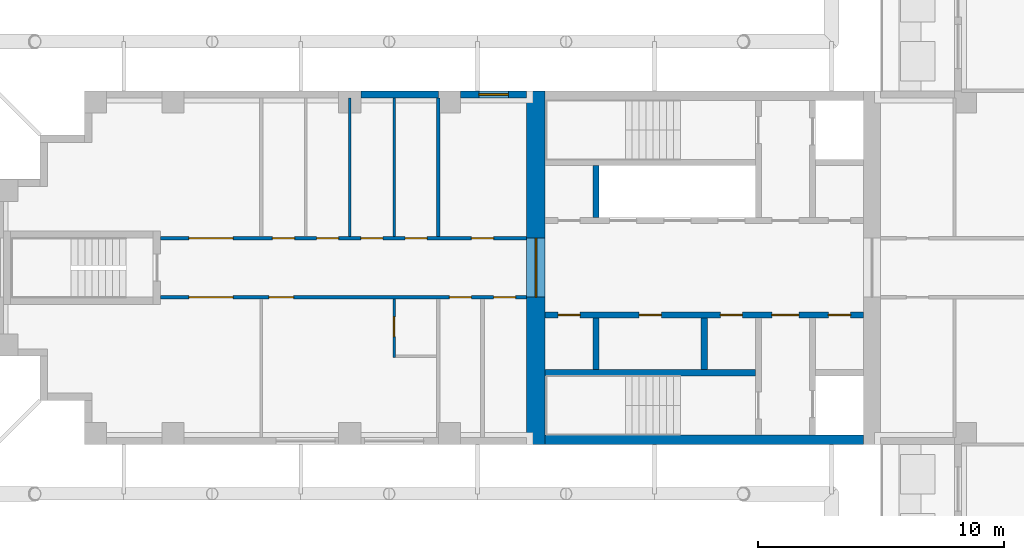
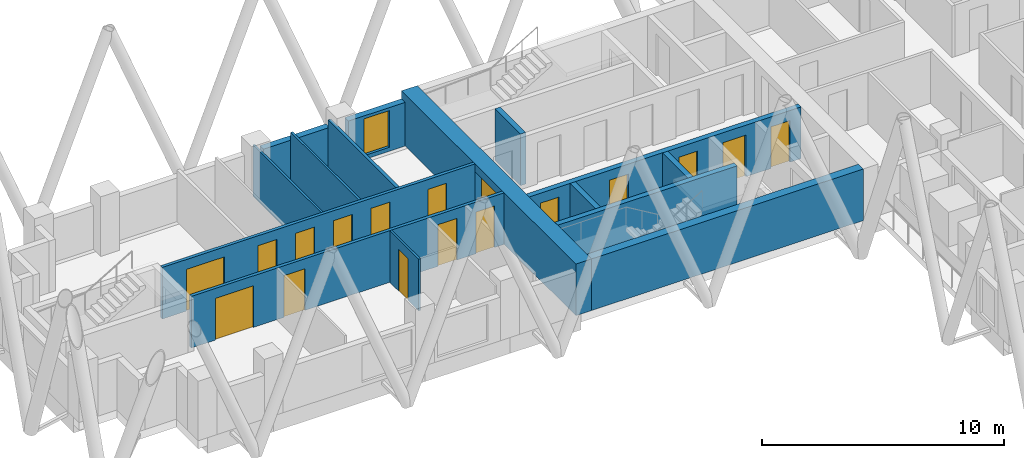
# One storey, part 3 of 12: 17 doors, 15 walls, 1 window, 18 openings.
"""IFC4 building model written with IfcOpenShell, lengths in metres."""

from ifc_helpers import new_model, si_unit, direction, frame, frame_2d, origin, place, context, subcontext, project, spatial, rectangle, extrude, material, layer, layer_set, type_object, element, fill, save


model = new_model("IFC4")

# Units and contexts
model_context = context("Model", 3, precision=1e-05, world=origin(), true_north=direction((0.0, 1.0)))
body_context = subcontext(model_context, "Body", "Model", "MODEL_VIEW")
ifc_project = project(units=[si_unit("LENGTHUNIT", "METRE"), si_unit("AREAUNIT", "SQUARE_METRE"), si_unit("VOLUMEUNIT", "CUBIC_METRE"), si_unit("PLANEANGLEUNIT", "RADIAN"), si_unit("MASSUNIT", "GRAM", prefix="KILO")], contexts=[model_context])

# Site, building, storey
site_placement = place(None, origin())
site = spatial("IfcSite", under=ifc_project, at=site_placement, CompositionType="ELEMENT")
building_placement = place(site_placement, origin())
building = spatial("IfcBuilding", under=site, at=building_placement, Name="Fustian Cross Tower", CompositionType="ELEMENT")
storey_placement = place(building_placement, frame((0.0, 0.0, 179.699951171875)))
storey = spatial("IfcBuildingStorey", under=building, at=storey_placement, Name="L56", CompositionType="ELEMENT", Elevation=179.699951171875)

# Wall, openings, doors
ifc_material_1 = material(Name="Plasterboard on steel stud", Category="steel")
ifc_layer_1 = layer(ifc_material_1, 0.14990234375)
ifc_layer_set_1 = layer_set([ifc_layer_1], Name="Plasterboard on steel stud")
wall_type_1 = type_object("IfcWallType", Name="COMPARTMENT WALL 150 EI 60", PredefinedType="PARTITIONING", material=ifc_layer_set_1)
wall_1_placement = place(storey_placement, frame((-36.5, -1.199951171875, 0.0), z_axis=(0.0, 0.0, 1.0), x_axis=(1.0, 0.0, 0.0)))
wall_1 = element("IfcWall", 1, at=wall_1_placement, inside=storey, type_object=wall_type_1, Name="Partition 1", PredefinedType="PARTITIONING", context=body_context, shape_type="SweptSolid", body=[
    extrude(rectangle(XDim=14.89990234375, YDim=0.14990234375, at=frame_2d((7.449951171875, 0.0))), origin(), (0.0, 0.0, 1.0), 2.60009765625),
])
opening_1_placement = place(wall_1_placement, frame((13.550048828125, 0.0, 0.0)))
opening_1 = element("IfcOpeningElement", 2, at=opening_1_placement, cuts=wall_1, Name="Opening D26027", PredefinedType="OPENING", context=body_context, shape_type="SweptSolid", body=[
    extrude(rectangle(XDim=0.89990234375, YDim=2.10009765625, at=frame_2d((0.449951171875, 1.050048828125))), frame((0.0, 0.0849609375, 0.0), z_axis=(0.0, -1.0, 0.0), x_axis=(1.0, 0.0, 0.0)), (0.0, 0.0, 1.0), 0.169921875),
])
opening_2_placement = place(wall_1_placement, frame((11.75, 0.0, 0.0)))
opening_2 = element("IfcOpeningElement", 3, at=opening_2_placement, cuts=wall_1, Name="Opening D26028", PredefinedType="OPENING", context=body_context, shape_type="SweptSolid", body=[
    extrude(rectangle(XDim=0.89990234375, YDim=2.10009765625, at=frame_2d((0.449951171875, 1.050048828125))), frame((0.0, 0.0849609375, 0.0), z_axis=(0.0, -1.0, 0.0), x_axis=(1.0, 0.0, 0.0)), (0.0, 0.0, 1.0), 0.169921875),
])
opening_3_placement = place(wall_1_placement, frame((4.409912109375, 0.0, 0.0)))
opening_3 = element("IfcOpeningElement", 4, at=opening_3_placement, cuts=wall_1, Name="Opening D26030", PredefinedType="OPENING", context=body_context, shape_type="SweptSolid", body=[
    extrude(rectangle(XDim=1.0, YDim=2.10009765625, at=frame_2d((0.5, 1.050048828125))), frame((0.0, 0.0849609375, 0.0), z_axis=(0.0, -1.0, 0.0), x_axis=(1.0, 0.0, 0.0)), (0.0, 0.0, 1.0), 0.169921875),
])
opening_4_placement = place(wall_1_placement, frame((1.14990234375, 0.0, 0.0)))
opening_4 = element("IfcOpeningElement", 5, at=opening_4_placement, cuts=wall_1, Name="Opening D26031", PredefinedType="OPENING", context=body_context, shape_type="SweptSolid", body=[
    extrude(rectangle(XDim=1.800048828125, YDim=2.10009765625, at=frame_2d((0.89990234375, 1.050048828125))), frame((0.0, 0.0849609375, 0.0), z_axis=(0.0, -1.0, 0.0), x_axis=(1.0, 0.0, 0.0)), (0.0, 0.0, 1.0), 0.169921875),
])
ifc_material_2 = material(Name="Timber fire door set", Category="wood")
door_type_1 = type_object("IfcDoorType", Name="FIRE DOUBLE DOOR 1800 FD30S", OperationType="DOUBLE_DOOR_DOUBLE_SWING", PredefinedType="DOOR", material=ifc_material_2)
door_1_placement = place(opening_4_placement, origin())
door_1 = element("IfcDoor", 6, at=door_1_placement, inside=storey, type_object=door_type_1, Name="Door D26031", OperationType="DOUBLE_DOOR_DOUBLE_SWING", OverallHeight=2.10009765625, OverallWidth=1.800048828125, PredefinedType="DOOR", context=body_context, shape_type="SweptSolid", body=[
    extrude(rectangle(XDim=1.800048828125, YDim=2.10009765625, at=frame_2d((0.89990234375, 1.050048828125))), frame((0.0, 0.02490234375, 0.0), z_axis=(0.0, -1.0, 0.0), x_axis=(1.0, 0.0, 0.0)), (0.0, 0.0, 1.0), 0.050048828125),
])
fill(opening_4, door_1)
ifc_material_3 = material(Name="Timber fire door set", Category="wood")
door_type_2 = type_object("IfcDoorType", Name="FIRE SWING DOOR 1000 FD30S", OperationType="SINGLE_SWING_LEFT", PredefinedType="DOOR", material=ifc_material_3)
door_2_placement = place(opening_3_placement, frame((1.0, 0.0, 0.0), z_axis=(0.0, 0.0, 1.0), x_axis=(-1.0, 0.0, 0.0)))
door_2 = element("IfcDoor", 7, at=door_2_placement, inside=storey, type_object=door_type_2, Name="Door D26030", OperationType="SINGLE_SWING_RIGHT", OverallHeight=2.10009765625, OverallWidth=1.0, PredefinedType="DOOR", context=body_context, shape_type="SweptSolid", body=[
    extrude(rectangle(XDim=1.0, YDim=2.10009765625, at=frame_2d((0.5, 1.050048828125))), frame((0.0, 0.02490234375, 0.0), z_axis=(0.0, -1.0, 0.0), x_axis=(1.0, 0.0, 0.0)), (0.0, 0.0, 1.0), 0.050048828125),
])
fill(opening_3, door_2)
ifc_material_4 = material(Name="Timber fire door set", Category="wood")
door_type_3 = type_object("IfcDoorType", Name="FIRE SWING DOOR 900 FD30S", OperationType="SINGLE_SWING_LEFT", PredefinedType="DOOR", material=ifc_material_4)
door_3_placement = place(opening_1_placement, frame((0.89990234375, 0.0, 0.0), z_axis=(0.0, 0.0, 1.0), x_axis=(-1.0, 0.0, 0.0)))
door_3 = element("IfcDoor", 8, at=door_3_placement, inside=storey, type_object=door_type_3, Name="Door D26027", OperationType="SINGLE_SWING_LEFT", OverallHeight=2.10009765625, OverallWidth=0.89990234375, PredefinedType="DOOR", context=body_context, shape_type="SweptSolid", body=[
    extrude(rectangle(XDim=0.89990234375, YDim=2.10009765625, at=frame_2d((0.449951171875, 1.050048828125))), frame((0.0, 0.02490234375, 0.0), z_axis=(0.0, -1.0, 0.0), x_axis=(1.0, 0.0, 0.0)), (0.0, 0.0, 1.0), 0.050048828125),
])
fill(opening_1, door_3)
door_4_placement = place(opening_2_placement, origin())
door_4 = element("IfcDoor", 9, at=door_4_placement, inside=storey, type_object=door_type_3, Name="Door D26028", OperationType="SINGLE_SWING_RIGHT", OverallHeight=2.10009765625, OverallWidth=0.89990234375, PredefinedType="DOOR", context=body_context, shape_type="SweptSolid", body=[
    extrude(rectangle(XDim=0.89990234375, YDim=2.10009765625, at=frame_2d((0.449951171875, 1.050048828125))), frame((0.0, 0.02490234375, 0.0), z_axis=(0.0, -1.0, 0.0), x_axis=(1.0, 0.0, 0.0)), (0.0, 0.0, 1.0), 0.050048828125),
])
fill(opening_2, door_4)

wall_2_placement = place(storey_placement, frame((-36.5, 1.199951171875, 0.0), z_axis=(0.0, 0.0, 1.0), x_axis=(1.0, 0.0, 0.0)))
wall_2 = element("IfcWall", 10, at=wall_2_placement, inside=storey, type_object=wall_type_1, Name="Partition 2", PredefinedType="PARTITIONING", context=body_context, shape_type="SweptSolid", body=[
    extrude(rectangle(XDim=14.89990234375, YDim=0.14990234375, at=frame_2d((7.449951171875, 0.0))), origin(), (0.0, 0.0, 1.0), 2.60009765625),
])
opening_5_placement = place(wall_2_placement, frame((12.64990234375, 0.0, 0.0)))
opening_5 = element("IfcOpeningElement", 11, at=opening_5_placement, cuts=wall_2, Name="Opening D26032", PredefinedType="OPENING", context=body_context, shape_type="SweptSolid", body=[
    extrude(rectangle(XDim=0.89990234375, YDim=2.10009765625, at=frame_2d((0.449951171875, 1.050048828125))), frame((0.0, 0.0849609375, 0.0), z_axis=(0.0, -1.0, 0.0), x_axis=(1.0, 0.0, 0.0)), (0.0, 0.0, 1.0), 0.169921875),
])
opening_6_placement = place(wall_2_placement, frame((9.949951171875, 0.0, 0.0)))
opening_6 = element("IfcOpeningElement", 12, at=opening_6_placement, cuts=wall_2, Name="Opening D26033", PredefinedType="OPENING", context=body_context, shape_type="SweptSolid", body=[
    extrude(rectangle(XDim=0.89990234375, YDim=2.10009765625, at=frame_2d((0.449951171875, 1.050048828125))), frame((0.0, 0.0849609375, 0.0), z_axis=(0.0, -1.0, 0.0), x_axis=(1.0, 0.0, 0.0)), (0.0, 0.0, 1.0), 0.169921875),
])
opening_7_placement = place(wall_2_placement, frame((8.14990234375, 0.0, 0.0)))
opening_7 = element("IfcOpeningElement", 13, at=opening_7_placement, cuts=wall_2, Name="Opening D26034", PredefinedType="OPENING", context=body_context, shape_type="SweptSolid", body=[
    extrude(rectangle(XDim=0.89990234375, YDim=2.10009765625, at=frame_2d((0.449951171875, 1.050048828125))), frame((0.0, 0.0849609375, 0.0), z_axis=(0.0, -1.0, 0.0), x_axis=(1.0, 0.0, 0.0)), (0.0, 0.0, 1.0), 0.169921875),
])
opening_8_placement = place(wall_2_placement, frame((6.35009765625, 0.0, 0.0)))
opening_8 = element("IfcOpeningElement", 14, at=opening_8_placement, cuts=wall_2, Name="Opening D26035", PredefinedType="OPENING", context=body_context, shape_type="SweptSolid", body=[
    extrude(rectangle(XDim=0.89990234375, YDim=2.10009765625, at=frame_2d((0.449951171875, 1.050048828125))), frame((0.0, 0.0849609375, 0.0), z_axis=(0.0, -1.0, 0.0), x_axis=(1.0, 0.0, 0.0)), (0.0, 0.0, 1.0), 0.169921875),
])
opening_9_placement = place(wall_2_placement, frame((4.550048828125, 0.0, 0.0)))
opening_9 = element("IfcOpeningElement", 15, at=opening_9_placement, cuts=wall_2, Name="Opening D26036", PredefinedType="OPENING", context=body_context, shape_type="SweptSolid", body=[
    extrude(rectangle(XDim=0.89990234375, YDim=2.10009765625, at=frame_2d((0.449951171875, 1.050048828125))), frame((0.0, 0.0849609375, 0.0), z_axis=(0.0, -1.0, 0.0), x_axis=(1.0, 0.0, 0.0)), (0.0, 0.0, 1.0), 0.169921875),
])
opening_10_placement = place(wall_2_placement, frame((1.14990234375, 0.0, 0.0)))
opening_10 = element("IfcOpeningElement", 16, at=opening_10_placement, cuts=wall_2, Name="Opening D26037", PredefinedType="OPENING", context=body_context, shape_type="SweptSolid", body=[
    extrude(rectangle(XDim=1.800048828125, YDim=2.10009765625, at=frame_2d((0.89990234375, 1.050048828125))), frame((0.0, 0.0849609375, 0.0), z_axis=(0.0, -1.0, 0.0), x_axis=(1.0, 0.0, 0.0)), (0.0, 0.0, 1.0), 0.169921875),
])
door_5_placement = place(opening_10_placement, frame((1.800048828125, 0.0, 0.0), z_axis=(0.0, 0.0, 1.0), x_axis=(-1.0, 0.0, 0.0)))
door_5 = element("IfcDoor", 17, at=door_5_placement, inside=storey, type_object=door_type_1, Name="Door D26037", OperationType="DOUBLE_DOOR_DOUBLE_SWING", OverallHeight=2.10009765625, OverallWidth=1.800048828125, PredefinedType="DOOR", context=body_context, shape_type="SweptSolid", body=[
    extrude(rectangle(XDim=1.800048828125, YDim=2.10009765625, at=frame_2d((0.89990234375, 1.050048828125))), frame((0.0, 0.02490234375, 0.0), z_axis=(0.0, -1.0, 0.0), x_axis=(1.0, 0.0, 0.0)), (0.0, 0.0, 1.0), 0.050048828125),
])
fill(opening_10, door_5)
door_6_placement = place(opening_5_placement, origin())
door_6 = element("IfcDoor", 18, at=door_6_placement, inside=storey, type_object=door_type_3, Name="Door D26032", OperationType="SINGLE_SWING_LEFT", OverallHeight=2.10009765625, OverallWidth=0.89990234375, PredefinedType="DOOR", context=body_context, shape_type="SweptSolid", body=[
    extrude(rectangle(XDim=0.89990234375, YDim=2.10009765625, at=frame_2d((0.449951171875, 1.050048828125))), frame((0.0, 0.02490234375, 0.0), z_axis=(0.0, -1.0, 0.0), x_axis=(1.0, 0.0, 0.0)), (0.0, 0.0, 1.0), 0.050048828125),
])
fill(opening_5, door_6)
door_7_placement = place(opening_6_placement, origin())
door_7 = element("IfcDoor", 19, at=door_7_placement, inside=storey, type_object=door_type_3, Name="Door D26033", OperationType="SINGLE_SWING_RIGHT", OverallHeight=2.10009765625, OverallWidth=0.89990234375, PredefinedType="DOOR", context=body_context, shape_type="SweptSolid", body=[
    extrude(rectangle(XDim=0.89990234375, YDim=2.10009765625, at=frame_2d((0.449951171875, 1.050048828125))), frame((0.0, 0.02490234375, 0.0), z_axis=(0.0, -1.0, 0.0), x_axis=(1.0, 0.0, 0.0)), (0.0, 0.0, 1.0), 0.050048828125),
])
fill(opening_6, door_7)
door_8_placement = place(opening_7_placement, origin())
door_8 = element("IfcDoor", 20, at=door_8_placement, inside=storey, type_object=door_type_3, Name="Door D26034", OperationType="SINGLE_SWING_RIGHT", OverallHeight=2.10009765625, OverallWidth=0.89990234375, PredefinedType="DOOR", context=body_context, shape_type="SweptSolid", body=[
    extrude(rectangle(XDim=0.89990234375, YDim=2.10009765625, at=frame_2d((0.449951171875, 1.050048828125))), frame((0.0, 0.02490234375, 0.0), z_axis=(0.0, -1.0, 0.0), x_axis=(1.0, 0.0, 0.0)), (0.0, 0.0, 1.0), 0.050048828125),
])
fill(opening_7, door_8)
door_9_placement = place(opening_8_placement, origin())
door_9 = element("IfcDoor", 21, at=door_9_placement, inside=storey, type_object=door_type_3, Name="Door D26035", OperationType="SINGLE_SWING_RIGHT", OverallHeight=2.10009765625, OverallWidth=0.89990234375, PredefinedType="DOOR", context=body_context, shape_type="SweptSolid", body=[
    extrude(rectangle(XDim=0.89990234375, YDim=2.10009765625, at=frame_2d((0.449951171875, 1.050048828125))), frame((0.0, 0.02490234375, 0.0), z_axis=(0.0, -1.0, 0.0), x_axis=(1.0, 0.0, 0.0)), (0.0, 0.0, 1.0), 0.050048828125),
])
fill(opening_8, door_9)
door_10_placement = place(opening_9_placement, origin())
door_10 = element("IfcDoor", 22, at=door_10_placement, inside=storey, type_object=door_type_3, Name="Door D26036", OperationType="SINGLE_SWING_RIGHT", OverallHeight=2.10009765625, OverallWidth=0.89990234375, PredefinedType="DOOR", context=body_context, shape_type="SweptSolid", body=[
    extrude(rectangle(XDim=0.89990234375, YDim=2.10009765625, at=frame_2d((0.449951171875, 1.050048828125))), frame((0.0, 0.02490234375, 0.0), z_axis=(0.0, -1.0, 0.0), x_axis=(1.0, 0.0, 0.0)), (0.0, 0.0, 1.0), 0.050048828125),
])
fill(opening_9, door_10)

# Wall
wall_3_placement = place(storey_placement, frame((-25.199951171875, 1.27490234375, 0.0), z_axis=(0.0, 0.0, 1.0), x_axis=(0.0, 1.0, 0.0)))
element("IfcWall", 23, at=wall_3_placement, inside=storey, type_object=wall_type_1, Name="Partition 11", PredefinedType="PARTITIONING", context=body_context, shape_type="SweptSolid", body=[
    extrude(rectangle(XDim=5.625, YDim=0.14990234375, at=frame_2d((2.8125, 0.0))), origin(), (0.0, 0.0, 1.0), 2.60009765625),
])

# Wall, opening, door
ifc_material_5 = material(Name="Concrete C50/60", Category="concrete")
ifc_layer_2 = layer(ifc_material_5, 0.75)
ifc_layer_set_2 = layer_set([ifc_layer_2], Name="Concrete C50/60")
wall_type_2 = type_object("IfcWallType", Name="CORE END WALL 750 C50/60", PredefinedType="SHEAR", material=ifc_layer_set_2)
wall_4_placement = place(storey_placement, frame((-21.22509765625, -7.199951171875, 0.0), z_axis=(0.0, 0.0, 1.0), x_axis=(0.0, 1.0, 0.0)))
wall_4 = element("IfcWall", 24, at=wall_4_placement, inside=storey, type_object=wall_type_2, Name="Core end wall", PredefinedType="SHEAR", context=body_context, shape_type="SweptSolid", body=[
    extrude(rectangle(XDim=14.39990234375, YDim=0.75, at=frame_2d((7.199951171875, 0.0))), origin(), (0.0, 0.0, 1.0), 2.60009765625),
])
opening_11_placement = place(wall_4_placement, frame((6.0, 0.0, 0.0)))
opening_11 = element("IfcOpeningElement", 25, at=opening_11_placement, cuts=wall_4, Name="Opening CD-23-30", PredefinedType="OPENING", context=body_context, shape_type="SweptSolid", body=[
    extrude(rectangle(XDim=2.39990234375, YDim=2.199951171875, at=frame_2d((1.199951171875, 1.10009765625))), frame((0.0, 0.385009765625, 0.0), z_axis=(0.0, -1.0, 0.0), x_axis=(1.0, 0.0, 0.0)), (0.0, 0.0, 1.0), 0.77001953125),
])
ifc_material_6 = material(Name="Steel", Category="steel")
door_type_4 = type_object("IfcDoorType", Name="FIRE DOOR FD30S DOUBLE 2400X2200", OperationType="DOUBLE_DOOR_DOUBLE_SWING", PredefinedType="DOOR", material=ifc_material_6)
door_11_placement = place(opening_11_placement, frame((2.39990234375, 0.0, 0.0), z_axis=(0.0, 0.0, 1.0), x_axis=(-1.0, 0.0, 0.0)))
door_11 = element("IfcDoor", 26, at=door_11_placement, inside=storey, type_object=door_type_4, Name="Core door CD-23-30", OperationType="DOUBLE_DOOR_DOUBLE_SWING", OverallHeight=2.199951171875, OverallWidth=2.39990234375, PredefinedType="DOOR", context=body_context, shape_type="SweptSolid", body=[
    extrude(rectangle(XDim=2.39990234375, YDim=2.199951171875, at=frame_2d((1.199951171875, 1.10009765625))), frame((0.0, 0.02490234375, 0.0), z_axis=(0.0, -1.0, 0.0), x_axis=(1.0, 0.0, 0.0)), (0.0, 0.0, 1.0), 0.050048828125),
])
fill(opening_11, door_11)

# Wall
ifc_material_7 = material(Name="Concrete C50/60", Category="concrete")
ifc_layer_3 = layer(ifc_material_7, 0.39990234375)
ifc_layer_set_3 = layer_set([ifc_layer_3], Name="Concrete C50/60")
wall_type_3 = type_object("IfcWallType", Name="CORE FACADE WALL 400 C50/60", PredefinedType="SHEAR", material=ifc_layer_set_3)
wall_5_placement = place(storey_placement, frame((-7.89990234375, -7.0, 0.0), z_axis=(0.0, 0.0, 1.0), x_axis=(-1.0, 0.0, 0.0)))
element("IfcWall", 27, at=wall_5_placement, inside=storey, type_object=wall_type_3, Name="Core facade wall", PredefinedType="SHEAR", context=body_context, shape_type="SweptSolid", body=[
    extrude(rectangle(XDim=12.9501953125, YDim=0.39990234375, at=frame_2d((6.47509765625, 0.0))), origin(), (0.0, 0.0, 1.0), 2.60009765625),
])

# Wall, openings, doors
ifc_material_8 = material(Name="Concrete C50/60", Category="concrete")
ifc_layer_4 = layer(ifc_material_8, 0.25)
ifc_layer_set_4 = layer_set([ifc_layer_4], Name="Concrete C50/60")
wall_type_4 = type_object("IfcWallType", Name="CORE LOBBY WALL 250 C50/60", PredefinedType="SHEAR", material=ifc_layer_set_4)
wall_6_placement = place(storey_placement, frame((-7.89990234375, -1.925048828125, 0.0), z_axis=(0.0, 0.0, 1.0), x_axis=(-1.0, 0.0, 0.0)))
wall_6 = element("IfcWall", 28, at=wall_6_placement, inside=storey, type_object=wall_type_4, Name="Core lobby wall", PredefinedType="SHEAR", context=body_context, shape_type="SweptSolid", body=[
    extrude(rectangle(XDim=12.9501953125, YDim=0.25, at=frame_2d((6.47509765625, 0.0))), origin(), (0.0, 0.0, 1.0), 2.60009765625),
])
opening_12_placement = place(wall_6_placement, frame((0.52490234375, 0.0, 0.0)))
opening_12 = element("IfcOpeningElement", 29, at=opening_12_placement, cuts=wall_6, Name="Opening CD-23-26", PredefinedType="OPENING", context=body_context, shape_type="SweptSolid", body=[
    extrude(rectangle(XDim=0.89990234375, YDim=2.10009765625, at=frame_2d((0.449951171875, 1.050048828125))), frame((0.0, 0.135009765625, 0.0), z_axis=(0.0, -1.0, 0.0), x_axis=(1.0, 0.0, 0.0)), (0.0, 0.0, 1.0), 0.27001953125),
])
opening_13_placement = place(wall_6_placement, frame((2.625, 0.0, 0.0)))
opening_13 = element("IfcOpeningElement", 30, at=opening_13_placement, cuts=wall_6, Name="Opening CD-23-28", PredefinedType="OPENING", context=body_context, shape_type="SweptSolid", body=[
    extrude(rectangle(XDim=1.10009765625, YDim=2.10009765625, at=frame_2d((0.550048828125, 1.050048828125))), frame((0.0, 0.135009765625, 0.0), z_axis=(0.0, -1.0, 0.0), x_axis=(1.0, 0.0, 0.0)), (0.0, 0.0, 1.0), 0.27001953125),
])
opening_14_placement = place(wall_6_placement, frame((4.925048828125, 0.0, 0.0)))
opening_14 = element("IfcOpeningElement", 31, at=opening_14_placement, cuts=wall_6, Name="Opening CD-23-32", PredefinedType="OPENING", context=body_context, shape_type="SweptSolid", body=[
    extrude(rectangle(XDim=0.89990234375, YDim=2.10009765625, at=frame_2d((0.449951171875, 1.050048828125))), frame((0.0, 0.135009765625, 0.0), z_axis=(0.0, -1.0, 0.0), x_axis=(1.0, 0.0, 0.0)), (0.0, 0.0, 1.0), 0.27001953125),
])
opening_15_placement = place(wall_6_placement, frame((8.22509765625, 0.0, 0.0)))
opening_15 = element("IfcOpeningElement", 32, at=opening_15_placement, cuts=wall_6, Name="Opening CD-23-33", PredefinedType="OPENING", context=body_context, shape_type="SweptSolid", body=[
    extrude(rectangle(XDim=0.89990234375, YDim=2.10009765625, at=frame_2d((0.449951171875, 1.050048828125))), frame((0.0, 0.135009765625, 0.0), z_axis=(0.0, -1.0, 0.0), x_axis=(1.0, 0.0, 0.0)), (0.0, 0.0, 1.0), 0.27001953125),
])
opening_16_placement = place(wall_6_placement, frame((11.52490234375, 0.0, 0.0)))
opening_16 = element("IfcOpeningElement", 33, at=opening_16_placement, cuts=wall_6, Name="Opening CD-23-34", PredefinedType="OPENING", context=body_context, shape_type="SweptSolid", body=[
    extrude(rectangle(XDim=0.89990234375, YDim=2.10009765625, at=frame_2d((0.449951171875, 1.050048828125))), frame((0.0, 0.135009765625, 0.0), z_axis=(0.0, -1.0, 0.0), x_axis=(1.0, 0.0, 0.0)), (0.0, 0.0, 1.0), 0.27001953125),
])
ifc_material_9 = material(Name="Steel", Category="steel")
door_type_5 = type_object("IfcDoorType", Name="FIRE DOOR FD30S 1100X2100", OperationType="SINGLE_SWING_LEFT", PredefinedType="DOOR", material=ifc_material_9)
door_12_placement = place(opening_13_placement, frame((1.10009765625, 0.0, 0.0), z_axis=(0.0, 0.0, 1.0), x_axis=(-1.0, 0.0, 0.0)))
door_12 = element("IfcDoor", 34, at=door_12_placement, inside=storey, type_object=door_type_5, Name="Core door CD-23-28", OperationType="SINGLE_SWING_RIGHT", OverallHeight=2.10009765625, OverallWidth=1.10009765625, PredefinedType="DOOR", context=body_context, shape_type="SweptSolid", body=[
    extrude(rectangle(XDim=1.10009765625, YDim=2.10009765625, at=frame_2d((0.550048828125, 1.050048828125))), frame((0.0, 0.02490234375, 0.0), z_axis=(0.0, -1.0, 0.0), x_axis=(1.0, 0.0, 0.0)), (0.0, 0.0, 1.0), 0.050048828125),
])
fill(opening_13, door_12)
ifc_material_10 = material(Name="Steel", Category="steel")
door_type_6 = type_object("IfcDoorType", Name="FIRE DOOR FD30S 900X2100", OperationType="SINGLE_SWING_LEFT", PredefinedType="DOOR", material=ifc_material_10)
door_13_placement = place(opening_12_placement, origin())
door_13 = element("IfcDoor", 35, at=door_13_placement, inside=storey, type_object=door_type_6, Name="Core door CD-23-26", OperationType="SINGLE_SWING_LEFT", OverallHeight=2.10009765625, OverallWidth=0.89990234375, PredefinedType="DOOR", context=body_context, shape_type="SweptSolid", body=[
    extrude(rectangle(XDim=0.89990234375, YDim=2.10009765625, at=frame_2d((0.449951171875, 1.050048828125))), frame((0.0, 0.02490234375, 0.0), z_axis=(0.0, -1.0, 0.0), x_axis=(1.0, 0.0, 0.0)), (0.0, 0.0, 1.0), 0.050048828125),
])
fill(opening_12, door_13)
door_14_placement = place(opening_14_placement, origin())
door_14 = element("IfcDoor", 36, at=door_14_placement, inside=storey, type_object=door_type_6, Name="Core door CD-23-32", OperationType="SINGLE_SWING_LEFT", OverallHeight=2.10009765625, OverallWidth=0.89990234375, PredefinedType="DOOR", context=body_context, shape_type="SweptSolid", body=[
    extrude(rectangle(XDim=0.89990234375, YDim=2.10009765625, at=frame_2d((0.449951171875, 1.050048828125))), frame((0.0, 0.02490234375, 0.0), z_axis=(0.0, -1.0, 0.0), x_axis=(1.0, 0.0, 0.0)), (0.0, 0.0, 1.0), 0.050048828125),
])
fill(opening_14, door_14)
door_15_placement = place(opening_15_placement, origin())
door_15 = element("IfcDoor", 37, at=door_15_placement, inside=storey, type_object=door_type_6, Name="Core door CD-23-33", OperationType="SINGLE_SWING_RIGHT", OverallHeight=2.10009765625, OverallWidth=0.89990234375, PredefinedType="DOOR", context=body_context, shape_type="SweptSolid", body=[
    extrude(rectangle(XDim=0.89990234375, YDim=2.10009765625, at=frame_2d((0.449951171875, 1.050048828125))), frame((0.0, 0.02490234375, 0.0), z_axis=(0.0, -1.0, 0.0), x_axis=(1.0, 0.0, 0.0)), (0.0, 0.0, 1.0), 0.050048828125),
])
fill(opening_15, door_15)
door_16_placement = place(opening_16_placement, origin())
door_16 = element("IfcDoor", 38, at=door_16_placement, inside=storey, type_object=door_type_6, Name="Core door CD-23-34", OperationType="SINGLE_SWING_LEFT", OverallHeight=2.10009765625, OverallWidth=0.89990234375, PredefinedType="DOOR", context=body_context, shape_type="SweptSolid", body=[
    extrude(rectangle(XDim=0.89990234375, YDim=2.10009765625, at=frame_2d((0.449951171875, 1.050048828125))), frame((0.0, 0.02490234375, 0.0), z_axis=(0.0, -1.0, 0.0), x_axis=(1.0, 0.0, 0.0)), (0.0, 0.0, 1.0), 0.050048828125),
])
fill(opening_16, door_16)

# Walls
ifc_material_11 = material(Name="Concrete C50/60", Category="concrete")
ifc_layer_5 = layer(ifc_material_11, 0.25)
ifc_layer_set_5 = layer_set([ifc_layer_5], Name="Concrete C50/60")
wall_type_5 = type_object("IfcWallType", Name="CORE SHAFT WALL 250 C50/60", PredefinedType="SHEAR", material=ifc_layer_set_5)
wall_7_placement = place(storey_placement, frame((-12.300048828125, -4.27490234375, 0.0), z_axis=(0.0, 0.0, 1.0), x_axis=(-1.0, 0.0, 0.0)))
element("IfcWall", 39, at=wall_7_placement, inside=storey, type_object=wall_type_5, Name="Core shaft wall", PredefinedType="SHEAR", context=body_context, shape_type="SweptSolid", body=[
    extrude(rectangle(XDim=8.550048828125, YDim=0.25, at=frame_2d((4.27490234375, 0.0))), origin(), (0.0, 0.0, 1.0), 2.60009765625),
])
ifc_material_12 = material(Name="Plasterboard on steel stud", Category="steel")
ifc_layer_6 = layer(ifc_material_12, 0.10009765625)
ifc_layer_set_6 = layer_set([ifc_layer_6], Name="Plasterboard on steel stud")
wall_type_6 = type_object("IfcWallType", Name="PARTITION 100 STUD", PredefinedType="PARTITIONING", material=ifc_layer_set_6)
wall_8_placement = place(storey_placement, frame((-28.800048828125, 1.27490234375, 0.0), z_axis=(0.0, 0.0, 1.0), x_axis=(0.0, 1.0, 0.0)))
element("IfcWall", 40, at=wall_8_placement, inside=storey, type_object=wall_type_6, Name="Partition 6", PredefinedType="PARTITIONING", context=body_context, shape_type="SweptSolid", body=[
    extrude(rectangle(XDim=5.625, YDim=0.10009765625, at=frame_2d((2.8125, 0.0))), origin(), (0.0, 0.0, 1.0), 2.60009765625),
])

# Wall, opening, door
wall_9_placement = place(storey_placement, frame((-27.0, -3.64990234375, 0.0), z_axis=(0.0, 0.0, 1.0), x_axis=(0.0, 1.0, 0.0)))
wall_9 = element("IfcWall", 41, at=wall_9_placement, inside=storey, type_object=wall_type_6, Name="Partition 7", PredefinedType="PARTITIONING", context=body_context, shape_type="SweptSolid", body=[
    extrude(rectangle(XDim=2.375, YDim=0.10009765625, at=frame_2d((1.1875, 0.0))), origin(), (0.0, 0.0, 1.0), 2.60009765625),
])
opening_17_placement = place(wall_9_placement, frame((0.85009765625, 0.0, 0.0)))
opening_17 = element("IfcOpeningElement", 42, at=opening_17_placement, cuts=wall_9, Name="Opening D26029", PredefinedType="OPENING", context=body_context, shape_type="SweptSolid", body=[
    extrude(rectangle(XDim=0.800048828125, YDim=2.10009765625, at=frame_2d((0.39990234375, 1.050048828125))), frame((0.0, 0.06005859375, 0.0), z_axis=(0.0, -1.0, 0.0), x_axis=(1.0, 0.0, 0.0)), (0.0, 0.0, 1.0), 0.1201171875),
])
ifc_material_13 = material(Name="Painted timber", Category="wood")
door_type_7 = type_object("IfcDoorType", Name="SWING DOOR 800", OperationType="SINGLE_SWING_LEFT", PredefinedType="DOOR", material=ifc_material_13)
door_17_placement = place(opening_17_placement, frame((0.800048828125, 0.0, 0.0), z_axis=(0.0, 0.0, 1.0), x_axis=(-1.0, 0.0, 0.0)))
door_17 = element("IfcDoor", 43, at=door_17_placement, inside=storey, type_object=door_type_7, Name="Door D26029", OperationType="SINGLE_SWING_RIGHT", OverallHeight=2.10009765625, OverallWidth=0.800048828125, PredefinedType="DOOR", context=body_context, shape_type="SweptSolid", body=[
    extrude(rectangle(XDim=0.800048828125, YDim=2.10009765625, at=frame_2d((0.39990234375, 1.050048828125))), frame((0.0, 0.02490234375, 0.0), z_axis=(0.0, -1.0, 0.0), x_axis=(1.0, 0.0, 0.0)), (0.0, 0.0, 1.0), 0.050048828125),
])
fill(opening_17, door_17)

# Walls
wall_10_placement = place(storey_placement, frame((-27.0, 1.27490234375, 0.0), z_axis=(0.0, 0.0, 1.0), x_axis=(0.0, 1.0, 0.0)))
element("IfcWall", 44, at=wall_10_placement, inside=storey, type_object=wall_type_6, Name="Partition 9", PredefinedType="PARTITIONING", context=body_context, shape_type="SweptSolid", body=[
    extrude(rectangle(XDim=5.625, YDim=0.10009765625, at=frame_2d((2.8125, 0.0))), origin(), (0.0, 0.0, 1.0), 2.60009765625),
])
ifc_material_14 = material(Name="Concrete C40/50", Category="concrete")
ifc_layer_7 = layer(ifc_material_14, 0.25)
ifc_layer_set_7 = layer_set([ifc_layer_7], Name="Concrete C40/50")
wall_type_7 = type_object("IfcWallType", Name="SHAFT PARTITION WALL 250 C40/50", PredefinedType="PARTITIONING", material=ifc_layer_set_7)
for number, where, z_axis, x_axis, name in (
    (45, (-18.77490234375, 2.050048828125, 0.0), (0.0, 0.0, 1.0), (0.0, 1.0, 0.0), "Core shaft wall"),
    (46, (-14.375, -2.050048828125, 0.0), (0.0, 0.0, 1.0), (0.0, -1.0, 0.0), "Core shaft wall"),
    (47, (-18.77490234375, -2.050048828125, 0.0), (0.0, 0.0, 1.0), (0.0, -1.0, 0.0), "Core shaft wall"),
):
    element("IfcWall", number, at=place(storey_placement, frame(where, z_axis=z_axis, x_axis=x_axis)), inside=storey, type_object=wall_type_7, Name=name, PredefinedType="PARTITIONING", context=body_context, shape_type="SweptSolid", body=[
        extrude(rectangle(XDim=2.099853515625, YDim=0.25, at=frame_2d((1.0498046875, 0.0))), origin(), (0.0, 0.0, 1.0), 2.60009765625),
    ])

# Wall, opening, window
ifc_material_15 = material(Name="Dark aluminium cladding on insulated backing wall", Category="aluminium")
ifc_layer_8 = layer(ifc_material_15, 0.300048828125)
ifc_layer_set_8 = layer_set([ifc_layer_8], Name="Dark aluminium cladding on insulated backing wall")
wall_type_8 = type_object("IfcWallType", Name="XW1 EXTERNAL WALL 300", PredefinedType="SOLIDWALL", material=ifc_layer_set_8)
wall_11_placement = place(storey_placement, frame((-21.60009765625, 7.050048828125, 0.0), z_axis=(0.0, 0.0, 1.0), x_axis=(-1.0, 0.0, 0.0)))
wall_11 = element("IfcWall", 48, at=wall_11_placement, inside=storey, type_object=wall_type_8, Name="External wall", PredefinedType="SOLIDWALL", context=body_context, shape_type="SweptSolid", body=[
    extrude(rectangle(XDim=2.699951171875, YDim=0.300048828125, at=frame_2d((1.35009765625, 0.0))), origin(), (0.0, 0.0, 1.0), 2.199951171875),
])
opening_18_placement = place(wall_11_placement, frame((0.75, 0.0, 0.199951171875)))
opening_18 = element("IfcOpeningElement", 49, at=opening_18_placement, cuts=wall_11, Name="Opening WN3", PredefinedType="OPENING", context=body_context, shape_type="SweptSolid", body=[
    extrude(rectangle(XDim=1.199951171875, YDim=1.85009765625, at=frame_2d((0.60009765625, 0.925048828125))), frame((0.0, 0.159912109375, 0.0), z_axis=(0.0, -1.0, 0.0), x_axis=(1.0, 0.0, 0.0)), (0.0, 0.0, 1.0), 0.320068359375),
])
ifc_material_16 = material(Name="Dark anodised aluminium and double glazing", Category="aluminium")
window_type = type_object("IfcWindowType", Name="WN3 WINDOW 1200X1850", PartitioningType="SINGLE_PANEL", PredefinedType="WINDOW", material=ifc_material_16)
window_placement = place(opening_18_placement, origin())
window = element("IfcWindow", 50, at=window_placement, inside=storey, type_object=window_type, Name="Window", OverallHeight=1.85009765625, OverallWidth=1.199951171875, PartitioningType="SINGLE_PANEL", PredefinedType="WINDOW", context=body_context, shape_type="SweptSolid", body=[
    extrude(rectangle(XDim=1.199951171875, YDim=1.85009765625, at=frame_2d((0.60009765625, 0.925048828125))), frame((0.0, 0.030029296875, 0.0), z_axis=(0.0, -1.0, 0.0), x_axis=(1.0, 0.0, 0.0)), (0.0, 0.0, 1.0), 0.06005859375),
])
fill(opening_18, window)

# Wall
wall_12_placement = place(storey_placement, frame((-25.199951171875, 7.050048828125, 0.0), z_axis=(0.0, 0.0, 1.0), x_axis=(-1.0, 0.0, 0.0)))
element("IfcWall", 51, at=wall_12_placement, inside=storey, type_object=wall_type_8, Name="External wall", PredefinedType="SOLIDWALL", context=body_context, shape_type="SweptSolid", body=[
    extrude(rectangle(XDim=3.150146484375, YDim=0.300048828125, at=frame_2d((1.5751953125, 0.0))), origin(), (0.0, 0.0, 1.0), 2.199951171875),
])

save(model, "model.ifc")
